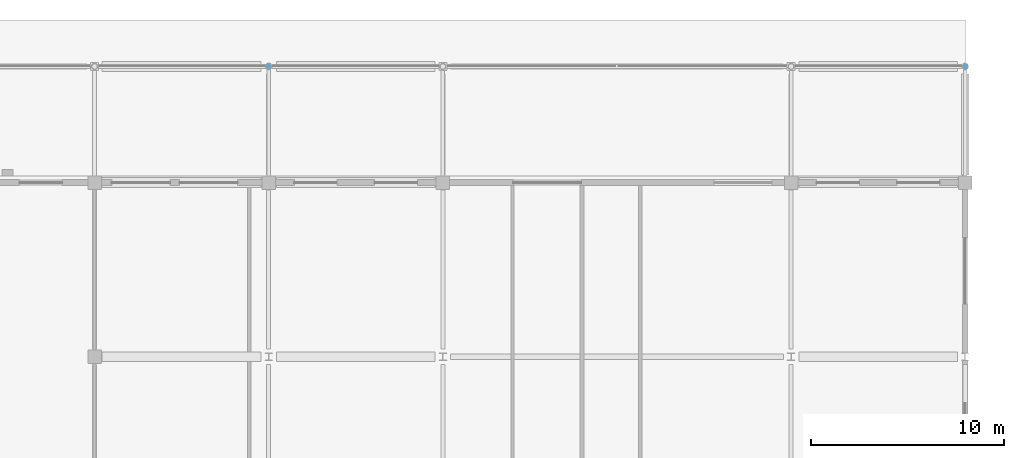
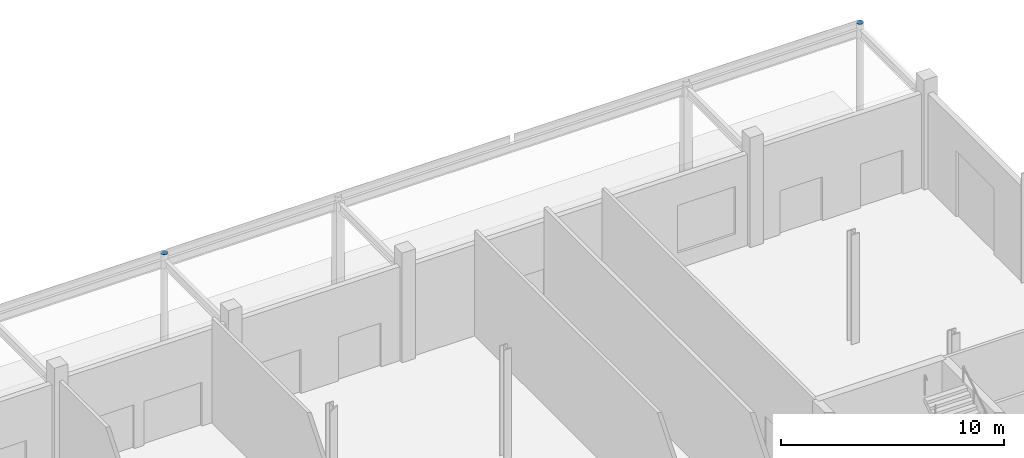
# One storey, part 52 of 84: 2 discrete accessories.
"""IFC4 building model written with IfcOpenShell, lengths in metres."""

from ifc_helpers import new_model, si_unit, direction, frame, origin, place, context, subcontext, project, spatial, polyline, outline, extrude, material, layer, layer_set, type_object, element, save


model = new_model("IFC4")

# Units and contexts
model_context = context("Model", 3, precision=1e-05, world=origin(), true_north=direction((0.0, 1.0)))
body_context = subcontext(model_context, "Body", "Model", "MODEL_VIEW")
ifc_project = project(units=[si_unit("LENGTHUNIT", "METRE"), si_unit("AREAUNIT", "SQUARE_METRE"), si_unit("VOLUMEUNIT", "CUBIC_METRE"), si_unit("PLANEANGLEUNIT", "RADIAN"), si_unit("MASSUNIT", "GRAM", prefix="KILO")], contexts=[model_context])

# Site, building, storey
site_placement = place(None, origin())
site = spatial("IfcSite", under=ifc_project, at=site_placement, CompositionType="ELEMENT")
building_placement = place(site_placement, origin())
building = spatial("IfcBuilding", under=site, at=building_placement, Name="Kisiwana Market Hall", CompositionType="ELEMENT")
storey_placement = place(building_placement, origin())
storey = spatial("IfcBuildingStorey", under=building, at=storey_placement, Name="L00", CompositionType="ELEMENT", Elevation=0.0)

# Discrete accessories
ifc_material = material(Name="Steel S355", Category="steel")
ifc_layer = layer(ifc_material, 0.011962890625)
ifc_layer_set = layer_set([ifc_layer], Name="ACC-ENDCAP-STL")
discrete_accessory_type = type_object("IfcDiscreteAccessoryType", Name="ACC-ENDCAP-STL", PredefinedType="USERDEFINED", material=ifc_layer_set)
discrete_accessory_1_placement = place(storey_placement, frame((0.0, 0.0, 5.199951171875)))
element("IfcDiscreteAccessory", 1, at=discrete_accessory_1_placement, inside=storey, type_object=discrete_accessory_type, Name="End cap plate EC-0003", ObjectType="End cap plate", PredefinedType="USERDEFINED", context=body_context, shape_type="SweptSolid", body=[
    extrude(outline(polyline([(162.161865234375, 126.0), (162.156494140625, 126.0419921875), (162.140380859375, 126.0810546875), (162.114501953125, 126.114501953125), (162.0810546875, 126.140380859375), (162.0419921875, 126.156494140625), (162.0, 126.162109375), (161.9580078125, 126.156494140625), (161.9189453125, 126.140380859375), (161.885498046875, 126.114501953125), (161.859619140625, 126.0810546875), (161.843505859375, 126.0419921875), (161.838134765625, 126.0), (161.843505859375, 125.9580078125), (161.859619140625, 125.9189453125), (161.885498046875, 125.885498046875), (161.9189453125, 125.859619140625), (161.9580078125, 125.843505859375), (162.0, 125.837890625), (162.0419921875, 125.843505859375), (162.0810546875, 125.859619140625), (162.114501953125, 125.885498046875), (162.140380859375, 125.9189453125), (162.156494140625, 125.9580078125), (162.161865234375, 126.0)])), origin(), (0.0, 0.0, 1.0), 0.011962890625),
])
discrete_accessory_2_placement = place(storey_placement, frame((0.0, 0.0, 5.199951171875)))
element("IfcDiscreteAccessory", 2, at=discrete_accessory_2_placement, inside=storey, type_object=discrete_accessory_type, Name="End cap plate EC-0004", ObjectType="End cap plate", PredefinedType="USERDEFINED", context=body_context, shape_type="SweptSolid", body=[
    extrude(outline(polyline([(198.161865234375, 126.0), (198.156494140625, 126.0419921875), (198.140380859375, 126.0810546875), (198.114501953125, 126.114501953125), (198.0810546875, 126.140380859375), (198.0419921875, 126.156494140625), (198.0, 126.162109375), (197.9580078125, 126.156494140625), (197.9189453125, 126.140380859375), (197.885498046875, 126.114501953125), (197.859619140625, 126.0810546875), (197.843505859375, 126.0419921875), (197.838134765625, 126.0), (197.843505859375, 125.9580078125), (197.859619140625, 125.9189453125), (197.885498046875, 125.885498046875), (197.9189453125, 125.859619140625), (197.9580078125, 125.843505859375), (198.0, 125.837890625), (198.0419921875, 125.843505859375), (198.0810546875, 125.859619140625), (198.114501953125, 125.885498046875), (198.140380859375, 125.9189453125), (198.156494140625, 125.9580078125), (198.161865234375, 126.0)])), origin(), (0.0, 0.0, 1.0), 0.011962890625),
])

save(model, "model.ifc")
